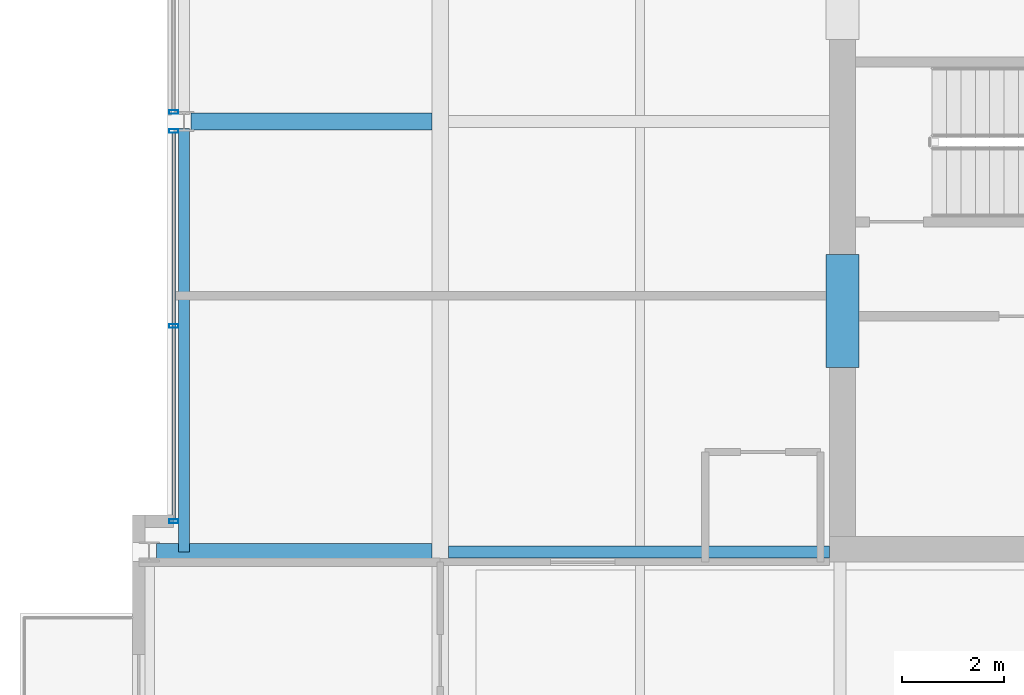
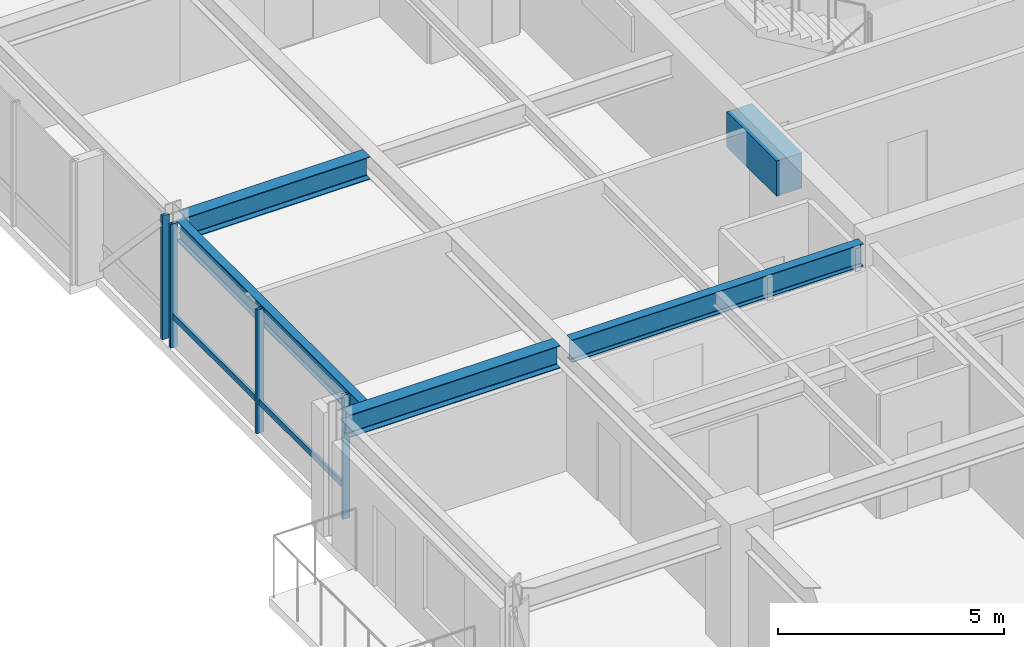
# One storey, part 8 of 32: 5 beams, 5 members, 2 elements without a shape of their own.
"""IFC4 building model written with IfcOpenShell, lengths in metres."""

from ifc_helpers import new_model, si_unit, direction, frame, origin, origin_2d, place, context, subcontext, project, spatial, rectangle, hollow_rectangle, i_section, extrude, material, layer, layer_set, material_profile, profile_set, type_object, element, aggregate, save


model = new_model("IFC4")

# Units and contexts
model_context = context("Model", 3, precision=1e-05, world=origin(), true_north=direction((0.0, 1.0)))
body_context = subcontext(model_context, "Body", "Model", "MODEL_VIEW")
ifc_project = project(units=[si_unit("LENGTHUNIT", "METRE"), si_unit("AREAUNIT", "SQUARE_METRE"), si_unit("VOLUMEUNIT", "CUBIC_METRE"), si_unit("PLANEANGLEUNIT", "RADIAN"), si_unit("MASSUNIT", "GRAM", prefix="KILO")], contexts=[model_context])

# Site, building, storey
site_placement = place(None, origin())
site = spatial("IfcSite", under=ifc_project, at=site_placement, CompositionType="ELEMENT")
building_placement = place(site_placement, origin())
building = spatial("IfcBuilding", under=site, at=building_placement, Name="Drelvath Grand Hotel", CompositionType="ELEMENT")
storey_placement = place(building_placement, frame((0.0, 0.0, 226.699951171875)))
storey = spatial("IfcBuildingStorey", under=building, at=storey_placement, Name="L59", CompositionType="ELEMENT", Elevation=226.699951171875)

# Beam
ifc_material_1 = material(Name="Concrete f'c 55 MPa", Category="concrete")
ifc_material_profile_1 = material_profile(ifc_material_1, rectangle(XDim=0.64990234375, YDim=0.949951171875, at=origin_2d()), Name="CB650X950")
ifc_profile_set_1 = profile_set([ifc_material_profile_1], Name="Concrete f'c 55 MPa")
beam_type_1 = type_object("IfcBeamType", Name="Core Coupling Lintel CB650X950", PredefinedType="LINTEL", material=ifc_profile_set_1)
beam_1_placement = place(storey_placement, frame((-8.35009765625, 22.199951171875, 2.864990234375), z_axis=(0.0, 1.0, 0.0), x_axis=(-1.0, 0.0, 0.0)))
element("IfcBeam", 1, at=beam_1_placement, inside=storey, type_object=beam_type_1, Name="L59 Core Coupling Lintel WS", PredefinedType="LINTEL", context=body_context, shape_type="SweptSolid", body=[
    extrude(rectangle(XDim=0.64990234375, YDim=0.949951171875, at=origin_2d()), origin(), (0.0, 0.0, 1.0), 2.199951171875),
])

# Curtain wall, members
ifc_material_2 = material(Name="Platinum-Mist Anodised Aluminium Frame", Category="aluminium")
ifc_layer = layer(ifc_material_2, 0.199951171875)
ifc_layer_set = layer_set([ifc_layer], Name="Platinum-Mist Anodised Aluminium Frame")
curtain_wall_type = type_object("IfcCurtainWallType", Name="Stick Curtain Wall CW-05 Platinum Mist High-Rise", PredefinedType="NOTDEFINED", material=ifc_layer_set)
curtain_wall_1_placement = place(storey_placement, origin())
curtain_wall_1 = element("IfcCurtainWall", 2, at=curtain_wall_1_placement, inside=storey, type_object=curtain_wall_type, Name="L59 CW-05 Curtain Wall CW05-L59-WM1", PredefinedType="NOTDEFINED")
ifc_material_profile_2 = material_profile(ifc_material_2, hollow_rectangle(XDim=0.06494140625, YDim=0.159912109375, WallThickness=0.00390625, at=origin_2d()), Name="HSS160X65X4")
ifc_profile_set_2 = profile_set([ifc_material_profile_2], Name="Platinum-Mist Anodised Aluminium Frame")
member_type_1 = type_object("IfcMemberType", Name="Curtain Wall Horizontal Transom CW-05 HSS160X65X4", PredefinedType="USERDEFINED", material=ifc_profile_set_2)
member_1_placement = place(storey_placement, frame((-21.39990234375, 19.239990234375, 0.8349609375), z_axis=(0.0, 1.0, 0.0), x_axis=(-1.0, 0.0, 0.0)))
member_1 = element("IfcMember", 3, at=member_1_placement, type_object=member_type_1, Name="CW05-L59-WM1 Sill Transom", ObjectType="TRANSOM", PredefinedType="USERDEFINED", context=body_context, shape_type="SweptSolid", body=[
    extrude(hollow_rectangle(XDim=0.06494140625, YDim=0.159912109375, WallThickness=0.00390625, at=origin_2d()), origin(), (0.0, 0.0, 1.0), 7.53466796875),
])
ifc_material_profile_3 = material_profile(ifc_material_2, hollow_rectangle(XDim=0.074951171875, YDim=0.179931640625, WallThickness=0.0048828125, at=origin_2d()), Name="HSS180X75X5")
ifc_profile_set_3 = profile_set([ifc_material_profile_3], Name="Platinum-Mist Anodised Aluminium Frame")
member_type_2 = type_object("IfcMemberType", Name="Curtain Wall Vertical Mullion CW-05 HSS180X75X5", PredefinedType="MULLION", material=ifc_profile_set_3)
member_2_placement = place(storey_placement, frame((-21.39990234375, 19.199951171875, 0.0), z_axis=(0.0, 0.0, 1.0), x_axis=(0.0, 1.0, 0.0)))
member_2 = element("IfcMember", 4, at=member_2_placement, type_object=member_type_2, Name="CW05-L59-WM1 Mullion 1", PredefinedType="MULLION", context=body_context, shape_type="SweptSolid", body=[
    extrude(hollow_rectangle(XDim=0.074951171875, YDim=0.179931640625, WallThickness=0.0048828125, at=origin_2d()), origin(), (0.0, 0.0, 1.0), 3.340087890625),
])
member_3_placement = place(storey_placement, frame((-21.39990234375, 23.00732421875, 0.0), z_axis=(0.0, 0.0, 1.0), x_axis=(0.0, 1.0, 0.0)))
member_3 = element("IfcMember", 5, at=member_3_placement, type_object=member_type_2, Name="CW05-L59-WM1 Mullion 2", PredefinedType="MULLION", context=body_context, shape_type="SweptSolid", body=[
    extrude(hollow_rectangle(XDim=0.074951171875, YDim=0.179931640625, WallThickness=0.0048828125, at=origin_2d()), origin(), (0.0, 0.0, 1.0), 3.340087890625),
])
member_4_placement = place(storey_placement, frame((-21.39990234375, 26.814697265625, 0.0), z_axis=(0.0, 0.0, 1.0), x_axis=(0.0, 1.0, 0.0)))
member_4 = element("IfcMember", 6, at=member_4_placement, type_object=member_type_2, Name="CW05-L59-WM1 Mullion 3", PredefinedType="MULLION", context=body_context, shape_type="SweptSolid", body=[
    extrude(hollow_rectangle(XDim=0.074951171875, YDim=0.179931640625, WallThickness=0.0048828125, at=origin_2d()), origin(), (0.0, 0.0, 1.0), 3.340087890625),
])
aggregate(curtain_wall_1, [member_2, member_3, member_4, member_1])

# Curtain wall, member
curtain_wall_2_placement = place(storey_placement, origin())
curtain_wall_2 = element("IfcCurtainWall", 7, at=curtain_wall_2_placement, inside=storey, type_object=curtain_wall_type, Name="L59 CW-05 Curtain Wall CW05-L59-WM2", PredefinedType="NOTDEFINED")
member_5_placement = place(storey_placement, frame((-21.39990234375, 27.185302734375, 0.0), z_axis=(0.0, 0.0, 1.0), x_axis=(0.0, 1.0, 0.0)))
member_5 = element("IfcMember", 8, at=member_5_placement, type_object=member_type_2, Name="CW05-L59-WM2 Mullion 1", PredefinedType="MULLION", context=body_context, shape_type="SweptSolid", body=[
    extrude(hollow_rectangle(XDim=0.074951171875, YDim=0.179931640625, WallThickness=0.0048828125, at=origin_2d()), origin(), (0.0, 0.0, 1.0), 3.340087890625),
])
aggregate(curtain_wall_2, [member_5])

# Beams
ifc_material_3 = material(Name="Steel ASTM A992 Gr 50", Category="steel")
ifc_material_profile_4 = material_profile(ifc_material_3, i_section(OverallWidth=0.210205078125, OverallDepth=0.53662109375, WebThickness=0.010986328125, FlangeThickness=0.017333984375, FilletRadius=0.01806640625, at=origin_2d()), Name="W21X68")
ifc_profile_set_4 = profile_set([ifc_material_profile_4], Name="Steel ASTM A992 Gr 50")
beam_type_2 = type_object("IfcBeamType", Name="Perimeter Spandrel Beam W21X68", PredefinedType="SPANDREL", material=ifc_profile_set_4)
beam_2_placement = place(storey_placement, frame((-21.199951171875, 18.60009765625, 3.071533203125), z_axis=(0.0, 1.0, 0.0), x_axis=(-1.0, 0.0, 0.0)))
element("IfcBeam", 9, at=beam_2_placement, inside=storey, type_object=beam_type_2, Name="L59 Spandrel West Mid S", PredefinedType="SPANDREL", context=body_context, shape_type="SweptSolid", body=[
    extrude(i_section(OverallWidth=0.210205078125, OverallDepth=0.53662109375, WebThickness=0.010986328125, FlangeThickness=0.017333984375, FilletRadius=0.01806640625, at=origin_2d()), origin(), (0.0, 0.0, 1.0), 8.260009765625),
])
ifc_material_profile_5 = material_profile(ifc_material_3, i_section(OverallWidth=0.323974609375, OverallDepth=0.611083984375, WebThickness=0.0126953125, FlangeThickness=0.01904296875, FilletRadius=0.02197265625, at=origin_2d()), Name="W24X104")
ifc_profile_set_5 = profile_set([ifc_material_profile_5], Name="Steel ASTM A992 Gr 50")
beam_type_3 = type_object("IfcBeamType", Name="Primary Floor Girder W24X104", PredefinedType="BEAM", material=ifc_profile_set_5)
beam_3_placement = place(storey_placement, frame((-21.739990234375, 18.60009765625, 3.034423828125), z_axis=(1.0, 0.0, 0.0), x_axis=(0.0, 1.0, 0.0)))
element("IfcBeam", 10, at=beam_3_placement, inside=storey, type_object=beam_type_3, Name="L59 West Wing Girder D", PredefinedType="BEAM", context=body_context, shape_type="SweptSolid", body=[
    extrude(i_section(OverallWidth=0.323974609375, OverallDepth=0.611083984375, WebThickness=0.0126953125, FlangeThickness=0.01904296875, FilletRadius=0.02197265625, at=origin_2d()), origin(), (0.0, 0.0, 1.0), 5.3779296875),
])
beam_4_placement = place(storey_placement, frame((-21.06005859375, 27.0, 3.034423828125), z_axis=(1.0, 0.0, 0.0), x_axis=(0.0, 1.0, 0.0)))
element("IfcBeam", 11, at=beam_4_placement, inside=storey, type_object=beam_type_3, Name="L59 West Wing Girder E", PredefinedType="BEAM", context=body_context, shape_type="SweptSolid", body=[
    extrude(i_section(OverallWidth=0.323974609375, OverallDepth=0.611083984375, WebThickness=0.0126953125, FlangeThickness=0.01904296875, FilletRadius=0.02197265625, at=origin_2d()), origin(), (0.0, 0.0, 1.0), 4.697998046875),
])
ifc_material_profile_6 = material_profile(ifc_material_3, i_section(OverallWidth=0.228271484375, OverallDepth=0.607666015625, WebThickness=0.01123046875, FlangeThickness=0.017333984375, FilletRadius=0.02001953125, at=origin_2d()), Name="W24X76")
ifc_profile_set_6 = profile_set([ifc_material_profile_6], Name="Steel ASTM A992 Gr 50")
beam_type_4 = type_object("IfcBeamType", Name="Primary Floor Girder W24X76", PredefinedType="BEAM", material=ifc_profile_set_6)
beam_5_placement = place(storey_placement, frame((-16.0380859375, 18.60009765625, 3.0361328125), z_axis=(1.0, 0.0, 0.0), x_axis=(0.0, 1.0, 0.0)))
element("IfcBeam", 12, at=beam_5_placement, inside=storey, type_object=beam_type_4, Name="L59 West Core Tie D", PredefinedType="BEAM", context=body_context, shape_type="SweptSolid", body=[
    extrude(i_section(OverallWidth=0.228271484375, OverallDepth=0.607666015625, WebThickness=0.01123046875, FlangeThickness=0.017333984375, FilletRadius=0.02001953125, at=origin_2d()), origin(), (0.0, 0.0, 1.0), 7.43798828125),
])

save(model, "model.ifc")
